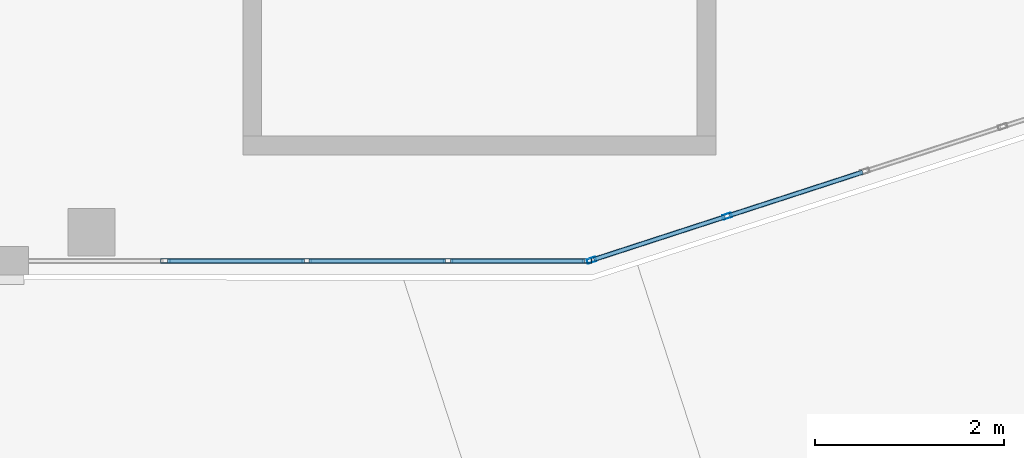
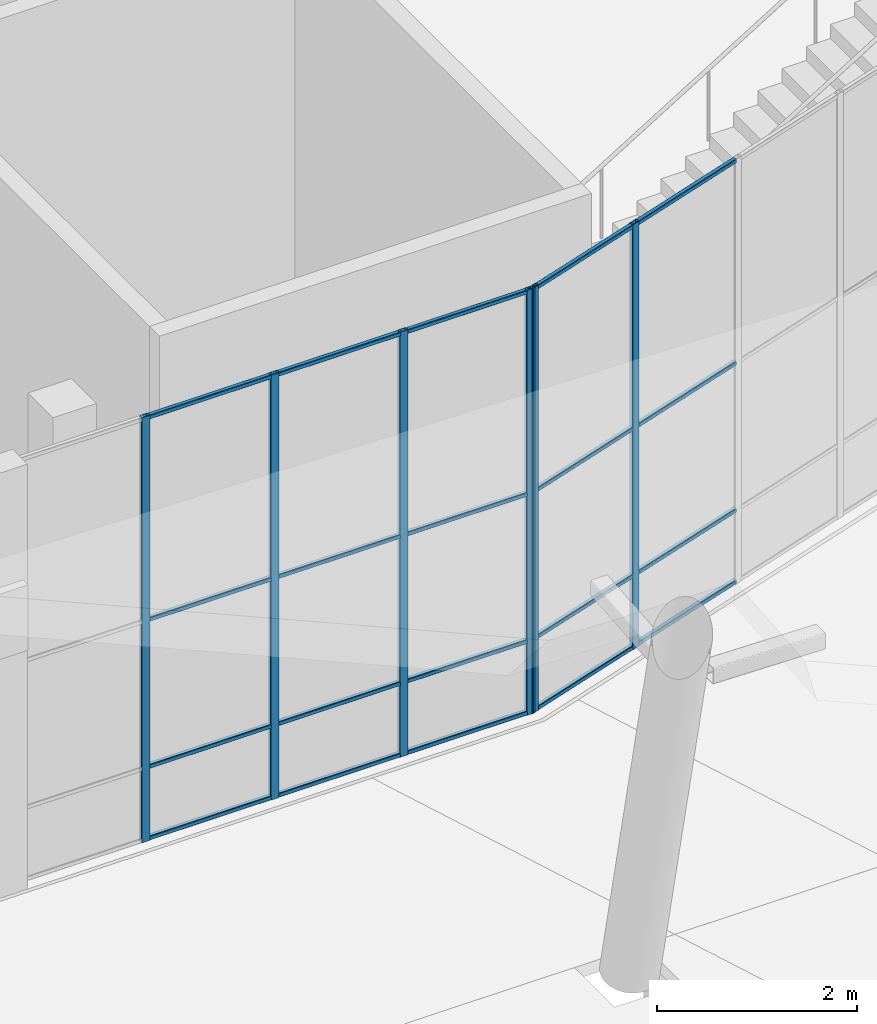
# One storey, part 8 of 72: 26 members, 2 elements without a shape of their own.
"""IFC4 building model written with IfcOpenShell, lengths in metres."""

from ifc_helpers import new_model, si_unit, direction, frame, origin, origin_2d, place, context, subcontext, project, spatial, hollow_rectangle, extrude, material, layer, layer_set, material_profile, profile_set, type_object, element, aggregate, save


model = new_model("IFC4")

# Units and contexts
model_context = context("Model", 3, precision=1e-05, world=origin(), true_north=direction((0.0, 1.0)))
body_context = subcontext(model_context, "Body", "Model", "MODEL_VIEW")
ifc_project = project(units=[si_unit("LENGTHUNIT", "METRE"), si_unit("AREAUNIT", "SQUARE_METRE"), si_unit("VOLUMEUNIT", "CUBIC_METRE"), si_unit("PLANEANGLEUNIT", "RADIAN"), si_unit("MASSUNIT", "GRAM", prefix="KILO")], contexts=[model_context])

# Site, building, storey
site_placement = place(None, origin())
site = spatial("IfcSite", under=ifc_project, at=site_placement, CompositionType="ELEMENT")
building_placement = place(site_placement, origin())
building = spatial("IfcBuilding", under=site, at=building_placement, Name="Tuart Plaza Theatre", CompositionType="ELEMENT")
storey_placement = place(building_placement, origin())
storey = spatial("IfcBuildingStorey", under=building, at=storey_placement, Name="L00", CompositionType="ELEMENT", Elevation=0.0)

# Curtain wall, members
ifc_material_1 = material(Name="Aluminium and glass", Category="aluminium")
ifc_layer = layer(ifc_material_1, 0.10009765625)
ifc_layer_set = layer_set([ifc_layer], Name="CURTAIN WALL 1500 module")
curtain_wall_type = type_object("IfcCurtainWallType", Name="CURTAIN WALL 1500 module", PredefinedType="NOTDEFINED", material=ifc_layer_set)
curtain_wall_1_placement = place(storey_placement, origin())
curtain_wall_1 = element("IfcCurtainWall", 1, at=curtain_wall_1_placement, inside=storey, type_object=curtain_wall_type, Name="CW3", PredefinedType="NOTDEFINED")
ifc_material_2 = material(Name="Aluminium 6063-T5", Category="aluminium")
ifc_material_profile_1 = material_profile(ifc_material_2, hollow_rectangle(XDim=0.050048828125, YDim=0.10009765625, WallThickness=0.00390625, InnerFilletRadius=0.00390625, OuterFilletRadius=0.008056640625, at=origin_2d()), Name="RHS 100x50x4")
ifc_profile_set_1 = profile_set([ifc_material_profile_1], Name="Aluminium 6063-T5")
member_type_1 = type_object("IfcMemberType", Name="MULLION RHS 100x50x4", PredefinedType="MULLION", material=ifc_profile_set_1)
member_1_placement = place(storey_placement, frame((83.98095703125, 42.47802734375, 0.0), z_axis=(0.0, 0.0, 1.0), x_axis=(0.0, 1.0, 0.0)))
member_1 = element("IfcMember", 2, at=member_1_placement, type_object=member_type_1, Name="CW3 mullion 2", PredefinedType="MULLION", context=body_context, shape_type="SweptSolid", body=[
    extrude(hollow_rectangle(XDim=0.050048828125, YDim=0.10009765625, WallThickness=0.00390625, InnerFilletRadius=0.00390625, OuterFilletRadius=0.008056640625, at=origin_2d()), origin(), (0.0, 0.0, 1.0), 5.199951171875),
])
member_2_placement = place(storey_placement, frame((85.47509765625, 42.47802734375, 0.0), z_axis=(0.0, 0.0, 1.0), x_axis=(0.0, 1.0, 0.0)))
member_2 = element("IfcMember", 3, at=member_2_placement, type_object=member_type_1, Name="CW3 mullion 3", PredefinedType="MULLION", context=body_context, shape_type="SweptSolid", body=[
    extrude(hollow_rectangle(XDim=0.050048828125, YDim=0.10009765625, WallThickness=0.00390625, InnerFilletRadius=0.00390625, OuterFilletRadius=0.008056640625, at=origin_2d()), origin(), (0.0, 0.0, 1.0), 5.199951171875),
])
member_3_placement = place(storey_placement, frame((86.96923828125, 42.47802734375, 0.0), z_axis=(0.0, 0.0, 1.0), x_axis=(0.0, 1.0, 0.0)))
member_3 = element("IfcMember", 4, at=member_3_placement, type_object=member_type_1, Name="CW3 mullion 4", PredefinedType="MULLION", context=body_context, shape_type="SweptSolid", body=[
    extrude(hollow_rectangle(XDim=0.050048828125, YDim=0.10009765625, WallThickness=0.00390625, InnerFilletRadius=0.00390625, OuterFilletRadius=0.008056640625, at=origin_2d()), origin(), (0.0, 0.0, 1.0), 5.199951171875),
])
member_4_placement = place(storey_placement, frame((88.438232421875, 42.47802734375, 0.0), z_axis=(0.0, 0.0, 1.0), x_axis=(0.0, 1.0, 0.0)))
member_4 = element("IfcMember", 5, at=member_4_placement, type_object=member_type_1, Name="CW3 mullion 5", PredefinedType="MULLION", context=body_context, shape_type="SweptSolid", body=[
    extrude(hollow_rectangle(XDim=0.050048828125, YDim=0.10009765625, WallThickness=0.00390625, InnerFilletRadius=0.00390625, OuterFilletRadius=0.008056640625, at=origin_2d()), origin(), (0.0, 0.0, 1.0), 5.199951171875),
])

curtain_wall_2_placement = place(storey_placement, origin())
curtain_wall_2 = element("IfcCurtainWall", 6, at=curtain_wall_2_placement, inside=storey, type_object=curtain_wall_type, Name="CW4", PredefinedType="NOTDEFINED")
member_5_placement = place(storey_placement, frame((88.487060546875, 42.48583984375, 0.0), z_axis=(0.0, 0.0, 1.0), x_axis=(-0.309018232632, 0.95105611396, 0.0)))
member_5 = element("IfcMember", 7, at=member_5_placement, type_object=member_type_1, Name="CW4 mullion 1", PredefinedType="MULLION", context=body_context, shape_type="SweptSolid", body=[
    extrude(hollow_rectangle(XDim=0.050048828125, YDim=0.10009765625, WallThickness=0.00390625, InnerFilletRadius=0.00390625, OuterFilletRadius=0.008056640625, at=origin_2d()), origin(), (0.0, 0.0, 1.0), 5.199951171875),
])
member_6_placement = place(storey_placement, frame((89.919677734375, 42.951171875, 0.0), z_axis=(0.0, 0.0, 1.0), x_axis=(-0.309018232632, 0.95105611396, 0.0)))
member_6 = element("IfcMember", 8, at=member_6_placement, type_object=member_type_1, Name="CW4 mullion 2", PredefinedType="MULLION", context=body_context, shape_type="SweptSolid", body=[
    extrude(hollow_rectangle(XDim=0.050048828125, YDim=0.10009765625, WallThickness=0.00390625, InnerFilletRadius=0.00390625, OuterFilletRadius=0.008056640625, at=origin_2d()), origin(), (0.0, 0.0, 1.0), 5.199951171875),
])

# Member
ifc_material_3 = material(Name="Aluminium 6063-T5", Category="aluminium")
ifc_material_profile_2 = material_profile(ifc_material_3, hollow_rectangle(XDim=0.050048828125, YDim=0.050048828125, WallThickness=0.00390625, InnerFilletRadius=0.00390625, OuterFilletRadius=0.008056640625, at=origin_2d()), Name="RHS 50x50x4")
ifc_profile_set_2 = profile_set([ifc_material_profile_2], Name="Aluminium 6063-T5")
member_type_2 = type_object("IfcMemberType", Name="TRANSOM RHS 50x50x4", PredefinedType="USERDEFINED", material=ifc_profile_set_2)
member_7_placement = place(storey_placement, frame((84.006103515625, 42.47802734375, 0.02490234375), z_axis=(1.0, 0.0, 0.0), x_axis=(0.0, 1.0, 0.0)))
member_7 = element("IfcMember", 9, at=member_7_placement, type_object=member_type_2, Name="CW3 transom 2.1", ObjectType="TRANSOM", PredefinedType="USERDEFINED", context=body_context, shape_type="SweptSolid", body=[
    extrude(hollow_rectangle(XDim=0.050048828125, YDim=0.050048828125, WallThickness=0.00390625, InnerFilletRadius=0.00390625, OuterFilletRadius=0.008056640625, at=origin_2d()), origin(), (0.0, 0.0, 1.0), 1.444091796875),
])

member_8_placement = place(storey_placement, frame((84.006103515625, 42.47802734375, 0.89990234375), z_axis=(1.0, 0.0, 0.0), x_axis=(0.0, 1.0, 0.0)))
member_8 = element("IfcMember", 10, at=member_8_placement, type_object=member_type_2, Name="CW3 transom 2.2", ObjectType="TRANSOM", PredefinedType="USERDEFINED", context=body_context, shape_type="SweptSolid", body=[
    extrude(hollow_rectangle(XDim=0.050048828125, YDim=0.050048828125, WallThickness=0.00390625, InnerFilletRadius=0.00390625, OuterFilletRadius=0.008056640625, at=origin_2d()), origin(), (0.0, 0.0, 1.0), 1.444091796875),
])

member_9_placement = place(storey_placement, frame((84.006103515625, 42.47802734375, 2.699951171875), z_axis=(1.0, 0.0, 0.0), x_axis=(0.0, 1.0, 0.0)))
member_9 = element("IfcMember", 11, at=member_9_placement, type_object=member_type_2, Name="CW3 transom 2.3", ObjectType="TRANSOM", PredefinedType="USERDEFINED", context=body_context, shape_type="SweptSolid", body=[
    extrude(hollow_rectangle(XDim=0.050048828125, YDim=0.050048828125, WallThickness=0.00390625, InnerFilletRadius=0.00390625, OuterFilletRadius=0.008056640625, at=origin_2d()), origin(), (0.0, 0.0, 1.0), 1.444091796875),
])

member_10_placement = place(storey_placement, frame((84.006103515625, 42.47802734375, 5.175048828125), z_axis=(1.0, 0.0, 0.0), x_axis=(0.0, 1.0, 0.0)))
member_10 = element("IfcMember", 12, at=member_10_placement, type_object=member_type_2, Name="CW3 transom 2.4", ObjectType="TRANSOM", PredefinedType="USERDEFINED", context=body_context, shape_type="SweptSolid", body=[
    extrude(hollow_rectangle(XDim=0.050048828125, YDim=0.050048828125, WallThickness=0.00390625, InnerFilletRadius=0.00390625, OuterFilletRadius=0.008056640625, at=origin_2d()), origin(), (0.0, 0.0, 1.0), 1.444091796875),
])

member_11_placement = place(storey_placement, frame((85.5, 42.47802734375, 0.02490234375), z_axis=(1.0, 0.0, 0.0), x_axis=(0.0, 1.0, 0.0)))
member_11 = element("IfcMember", 13, at=member_11_placement, type_object=member_type_2, Name="CW3 transom 3.1", ObjectType="TRANSOM", PredefinedType="USERDEFINED", context=body_context, shape_type="SweptSolid", body=[
    extrude(hollow_rectangle(XDim=0.050048828125, YDim=0.050048828125, WallThickness=0.00390625, InnerFilletRadius=0.00390625, OuterFilletRadius=0.008056640625, at=origin_2d()), origin(), (0.0, 0.0, 1.0), 1.444091796875),
])

member_12_placement = place(storey_placement, frame((85.5, 42.47802734375, 0.89990234375), z_axis=(1.0, 0.0, 0.0), x_axis=(0.0, 1.0, 0.0)))
member_12 = element("IfcMember", 14, at=member_12_placement, type_object=member_type_2, Name="CW3 transom 3.2", ObjectType="TRANSOM", PredefinedType="USERDEFINED", context=body_context, shape_type="SweptSolid", body=[
    extrude(hollow_rectangle(XDim=0.050048828125, YDim=0.050048828125, WallThickness=0.00390625, InnerFilletRadius=0.00390625, OuterFilletRadius=0.008056640625, at=origin_2d()), origin(), (0.0, 0.0, 1.0), 1.444091796875),
])

member_13_placement = place(storey_placement, frame((85.5, 42.47802734375, 2.699951171875), z_axis=(1.0, 0.0, 0.0), x_axis=(0.0, 1.0, 0.0)))
member_13 = element("IfcMember", 15, at=member_13_placement, type_object=member_type_2, Name="CW3 transom 3.3", ObjectType="TRANSOM", PredefinedType="USERDEFINED", context=body_context, shape_type="SweptSolid", body=[
    extrude(hollow_rectangle(XDim=0.050048828125, YDim=0.050048828125, WallThickness=0.00390625, InnerFilletRadius=0.00390625, OuterFilletRadius=0.008056640625, at=origin_2d()), origin(), (0.0, 0.0, 1.0), 1.444091796875),
])

member_14_placement = place(storey_placement, frame((85.5, 42.47802734375, 5.175048828125), z_axis=(1.0, 0.0, 0.0), x_axis=(0.0, 1.0, 0.0)))
member_14 = element("IfcMember", 16, at=member_14_placement, type_object=member_type_2, Name="CW3 transom 3.4", ObjectType="TRANSOM", PredefinedType="USERDEFINED", context=body_context, shape_type="SweptSolid", body=[
    extrude(hollow_rectangle(XDim=0.050048828125, YDim=0.050048828125, WallThickness=0.00390625, InnerFilletRadius=0.00390625, OuterFilletRadius=0.008056640625, at=origin_2d()), origin(), (0.0, 0.0, 1.0), 1.444091796875),
])

member_15_placement = place(storey_placement, frame((86.994140625, 42.47802734375, 0.02490234375), z_axis=(1.0, 0.0, 0.0), x_axis=(0.0, 1.0, 0.0)))
member_15 = element("IfcMember", 17, at=member_15_placement, type_object=member_type_2, Name="CW3 transom 4.1", ObjectType="TRANSOM", PredefinedType="USERDEFINED", context=body_context, shape_type="SweptSolid", body=[
    extrude(hollow_rectangle(XDim=0.050048828125, YDim=0.050048828125, WallThickness=0.00390625, InnerFilletRadius=0.00390625, OuterFilletRadius=0.008056640625, at=origin_2d()), origin(), (0.0, 0.0, 1.0), 1.419189453125),
])

member_16_placement = place(storey_placement, frame((86.994140625, 42.47802734375, 0.89990234375), z_axis=(1.0, 0.0, 0.0), x_axis=(0.0, 1.0, 0.0)))
member_16 = element("IfcMember", 18, at=member_16_placement, type_object=member_type_2, Name="CW3 transom 4.2", ObjectType="TRANSOM", PredefinedType="USERDEFINED", context=body_context, shape_type="SweptSolid", body=[
    extrude(hollow_rectangle(XDim=0.050048828125, YDim=0.050048828125, WallThickness=0.00390625, InnerFilletRadius=0.00390625, OuterFilletRadius=0.008056640625, at=origin_2d()), origin(), (0.0, 0.0, 1.0), 1.419189453125),
])

member_17_placement = place(storey_placement, frame((86.994140625, 42.47802734375, 2.699951171875), z_axis=(1.0, 0.0, 0.0), x_axis=(0.0, 1.0, 0.0)))
member_17 = element("IfcMember", 19, at=member_17_placement, type_object=member_type_2, Name="CW3 transom 4.3", ObjectType="TRANSOM", PredefinedType="USERDEFINED", context=body_context, shape_type="SweptSolid", body=[
    extrude(hollow_rectangle(XDim=0.050048828125, YDim=0.050048828125, WallThickness=0.00390625, InnerFilletRadius=0.00390625, OuterFilletRadius=0.008056640625, at=origin_2d()), origin(), (0.0, 0.0, 1.0), 1.419189453125),
])

member_18_placement = place(storey_placement, frame((86.994140625, 42.47802734375, 5.175048828125), z_axis=(1.0, 0.0, 0.0), x_axis=(0.0, 1.0, 0.0)))
member_18 = element("IfcMember", 20, at=member_18_placement, type_object=member_type_2, Name="CW3 transom 4.4", ObjectType="TRANSOM", PredefinedType="USERDEFINED", context=body_context, shape_type="SweptSolid", body=[
    extrude(hollow_rectangle(XDim=0.050048828125, YDim=0.050048828125, WallThickness=0.00390625, InnerFilletRadius=0.00390625, OuterFilletRadius=0.008056640625, at=origin_2d()), origin(), (0.0, 0.0, 1.0), 1.419189453125),
])

aggregate(curtain_wall_1, [member_1, member_2, member_3, member_4, member_7, member_8, member_9, member_10, member_11, member_12, member_13, member_14, member_15, member_16, member_17, member_18])

member_19_placement = place(storey_placement, frame((88.5107421875, 42.493408203125, 0.02490234375), z_axis=(0.951036532205, 0.309078492313, 0.0), x_axis=(-0.309078492313, 0.951036532205, 0.0)))
member_19 = element("IfcMember", 21, at=member_19_placement, type_object=member_type_2, Name="CW4 transom 1.1", ObjectType="TRANSOM", PredefinedType="USERDEFINED", context=body_context, shape_type="SweptSolid", body=[
    extrude(hollow_rectangle(XDim=0.050048828125, YDim=0.050048828125, WallThickness=0.00390625, InnerFilletRadius=0.00390625, OuterFilletRadius=0.008056640625, at=origin_2d()), origin(), (0.0, 0.0, 1.0), 1.45654296875),
])

member_20_placement = place(storey_placement, frame((88.5107421875, 42.493408203125, 0.89990234375), z_axis=(0.951036532205, 0.309078492313, 0.0), x_axis=(-0.309078492313, 0.951036532205, 0.0)))
member_20 = element("IfcMember", 22, at=member_20_placement, type_object=member_type_2, Name="CW4 transom 1.2", ObjectType="TRANSOM", PredefinedType="USERDEFINED", context=body_context, shape_type="SweptSolid", body=[
    extrude(hollow_rectangle(XDim=0.050048828125, YDim=0.050048828125, WallThickness=0.00390625, InnerFilletRadius=0.00390625, OuterFilletRadius=0.008056640625, at=origin_2d()), origin(), (0.0, 0.0, 1.0), 1.45654296875),
])

member_21_placement = place(storey_placement, frame((88.5107421875, 42.493408203125, 2.699951171875), z_axis=(0.951036532205, 0.309078492313, 0.0), x_axis=(-0.309078492313, 0.951036532205, 0.0)))
member_21 = element("IfcMember", 23, at=member_21_placement, type_object=member_type_2, Name="CW4 transom 1.3", ObjectType="TRANSOM", PredefinedType="USERDEFINED", context=body_context, shape_type="SweptSolid", body=[
    extrude(hollow_rectangle(XDim=0.050048828125, YDim=0.050048828125, WallThickness=0.00390625, InnerFilletRadius=0.00390625, OuterFilletRadius=0.008056640625, at=origin_2d()), origin(), (0.0, 0.0, 1.0), 1.45654296875),
])

member_22_placement = place(storey_placement, frame((88.5107421875, 42.493408203125, 5.175048828125), z_axis=(0.951036532205, 0.309078492313, 0.0), x_axis=(-0.309078492313, 0.951036532205, 0.0)))
member_22 = element("IfcMember", 24, at=member_22_placement, type_object=member_type_2, Name="CW4 transom 1.4", ObjectType="TRANSOM", PredefinedType="USERDEFINED", context=body_context, shape_type="SweptSolid", body=[
    extrude(hollow_rectangle(XDim=0.050048828125, YDim=0.050048828125, WallThickness=0.00390625, InnerFilletRadius=0.00390625, OuterFilletRadius=0.008056640625, at=origin_2d()), origin(), (0.0, 0.0, 1.0), 1.45654296875),
])

member_23_placement = place(storey_placement, frame((89.943603515625, 42.958984375, 0.02490234375), z_axis=(0.951061919735, 0.309000363802, 0.0), x_axis=(-0.309000363802, 0.951061919735, 0.0)))
member_23 = element("IfcMember", 25, at=member_23_placement, type_object=member_type_2, Name="CW4 transom 2.1", ObjectType="TRANSOM", PredefinedType="USERDEFINED", context=body_context, shape_type="SweptSolid", body=[
    extrude(hollow_rectangle(XDim=0.050048828125, YDim=0.050048828125, WallThickness=0.00390625, InnerFilletRadius=0.00390625, OuterFilletRadius=0.008056640625, at=origin_2d()), origin(), (0.0, 0.0, 1.0), 1.4814453125),
])

member_24_placement = place(storey_placement, frame((89.943603515625, 42.958984375, 0.89990234375), z_axis=(0.951061919735, 0.309000363802, 0.0), x_axis=(-0.309000363802, 0.951061919735, 0.0)))
member_24 = element("IfcMember", 26, at=member_24_placement, type_object=member_type_2, Name="CW4 transom 2.2", ObjectType="TRANSOM", PredefinedType="USERDEFINED", context=body_context, shape_type="SweptSolid", body=[
    extrude(hollow_rectangle(XDim=0.050048828125, YDim=0.050048828125, WallThickness=0.00390625, InnerFilletRadius=0.00390625, OuterFilletRadius=0.008056640625, at=origin_2d()), origin(), (0.0, 0.0, 1.0), 1.4814453125),
])

member_25_placement = place(storey_placement, frame((89.943603515625, 42.958984375, 2.699951171875), z_axis=(0.951061919735, 0.309000363802, 0.0), x_axis=(-0.309000363802, 0.951061919735, 0.0)))
member_25 = element("IfcMember", 27, at=member_25_placement, type_object=member_type_2, Name="CW4 transom 2.3", ObjectType="TRANSOM", PredefinedType="USERDEFINED", context=body_context, shape_type="SweptSolid", body=[
    extrude(hollow_rectangle(XDim=0.050048828125, YDim=0.050048828125, WallThickness=0.00390625, InnerFilletRadius=0.00390625, OuterFilletRadius=0.008056640625, at=origin_2d()), origin(), (0.0, 0.0, 1.0), 1.4814453125),
])

member_26_placement = place(storey_placement, frame((89.943603515625, 42.958984375, 5.175048828125), z_axis=(0.951061919735, 0.309000363802, 0.0), x_axis=(-0.309000363802, 0.951061919735, 0.0)))
member_26 = element("IfcMember", 28, at=member_26_placement, type_object=member_type_2, Name="CW4 transom 2.4", ObjectType="TRANSOM", PredefinedType="USERDEFINED", context=body_context, shape_type="SweptSolid", body=[
    extrude(hollow_rectangle(XDim=0.050048828125, YDim=0.050048828125, WallThickness=0.00390625, InnerFilletRadius=0.00390625, OuterFilletRadius=0.008056640625, at=origin_2d()), origin(), (0.0, 0.0, 1.0), 1.4814453125),
])

aggregate(curtain_wall_2, [member_5, member_6, member_19, member_20, member_21, member_22, member_23, member_24, member_25, member_26])

save(model, "model.ifc")
